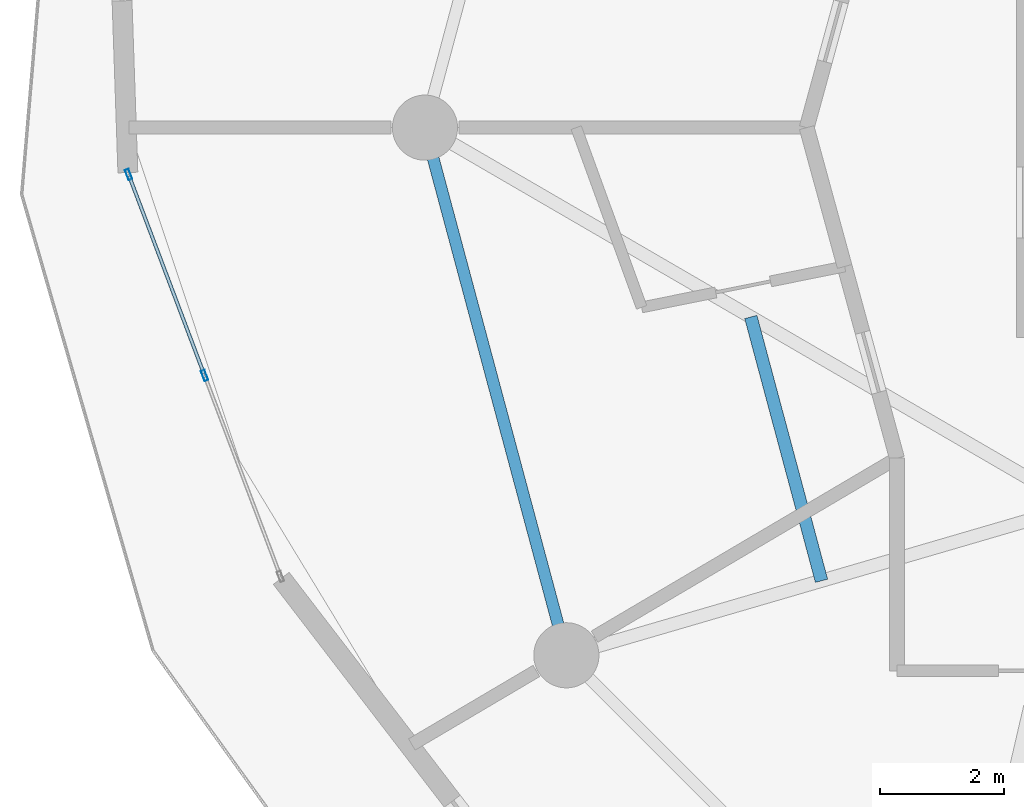
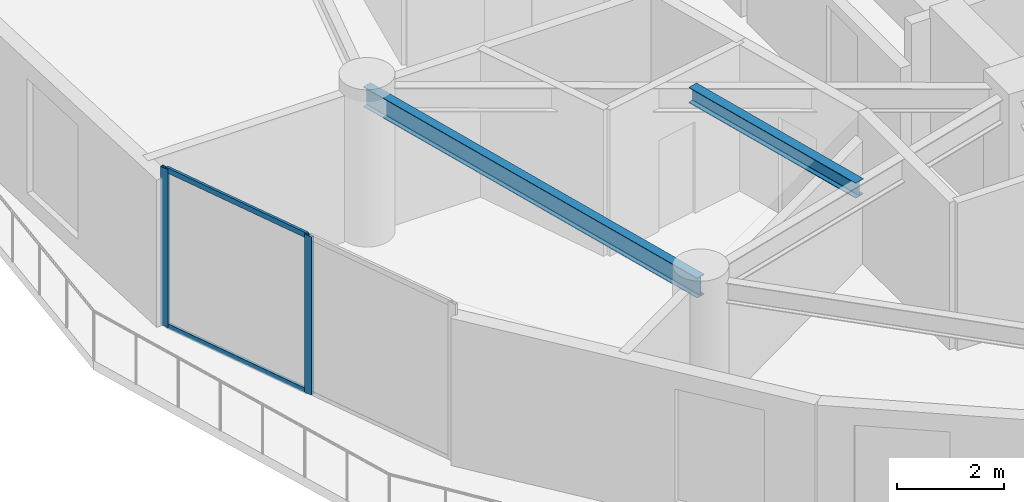
# One storey, part 6 of 25: 4 members, 2 beams, 1 element without a shape of its own.
"""IFC4 building model written with IfcOpenShell, lengths in metres."""

from ifc_helpers import new_model, si_unit, direction, frame, origin, origin_2d, place, context, subcontext, project, spatial, hollow_rectangle, i_section, extrude, source, transform, mapped, material, layer, layer_set, material_profile, profile_set, type_object, element, aggregate, save


model = new_model("IFC4")

# Units and contexts
model_context = context("Model", 3, precision=1e-05, world=origin(), true_north=direction((0.0, 1.0)))
body_context = subcontext(model_context, "Body", "Model", "MODEL_VIEW")
ifc_project = project(units=[si_unit("LENGTHUNIT", "METRE"), si_unit("AREAUNIT", "SQUARE_METRE"), si_unit("VOLUMEUNIT", "CUBIC_METRE"), si_unit("PLANEANGLEUNIT", "RADIAN"), si_unit("MASSUNIT", "GRAM", prefix="KILO")], contexts=[model_context])

# Site, building, storey
site_placement = place(None, origin())
site = spatial("IfcSite", under=ifc_project, at=site_placement, CompositionType="ELEMENT")
building_placement = place(site_placement, origin())
building = spatial("IfcBuilding", under=site, at=building_placement, Name="Solvirekh Grand Hotel", CompositionType="ELEMENT")
storey_placement = place(building_placement, frame((0.0, 0.0, 102.60009765625)))
storey = spatial("IfcBuildingStorey", under=building, at=storey_placement, Name="L25", CompositionType="ELEMENT", Elevation=102.60009765625)

# Beams
ifc_material_1 = material(Name="Steel S355", Category="steel")
ifc_material_profile_1 = material_profile(ifc_material_1, i_section(OverallWidth=0.2041015625, OverallDepth=0.35009765625, WebThickness=0.009033203125, FlangeThickness=0.014892578125, FilletRadius=0.010986328125, at=origin_2d()), Name="W360X72")
ifc_profile_set_1 = profile_set([ifc_material_profile_1], Name="Steel S355")
beam_type_1 = type_object("IfcBeamType", Name="Joist_Floor_W360", PredefinedType="JOIST", material=ifc_profile_set_1)
beam_1_placement = place(storey_placement, frame((-11.75, -3.050048828125, 3.1748046875), z_axis=(0.258847024572, -0.965918328778, 0.0), x_axis=(0.965918328778, 0.258847024572, 0.0)))
element("IfcBeam", 1, at=beam_1_placement, inside=storey, type_object=beam_type_1, Name="L25 secondary composite floor joist 7", PredefinedType="JOIST", context=body_context, shape_type="SweptSolid", body=[
    extrude(i_section(OverallWidth=0.2041015625, OverallDepth=0.35009765625, WebThickness=0.009033203125, FlangeThickness=0.014892578125, FilletRadius=0.010986328125, at=origin_2d()), origin(), (0.0, 0.0, 1.0), 4.39990234375),
])
ifc_material_profile_2 = material_profile(ifc_material_1, i_section(OverallWidth=0.18994140625, OverallDepth=0.45703125, WebThickness=0.009033203125, FlangeThickness=0.013916015625, FilletRadius=0.012939453125, at=origin_2d()), Name="W460X74")
ifc_profile_set_2 = profile_set([ifc_material_profile_2], Name="Steel S355")
beam_type_2 = type_object("IfcBeamType", Name="Spandrel_Ring_W460", PredefinedType="SPANDREL", material=ifc_profile_set_2)
beam_2_placement = place(storey_placement, frame((-17.0, 0.0, 3.121826171875), z_axis=(0.258872908946, -0.965911391906, 0.0), x_axis=(0.965911391906, 0.258872908946, 0.0)))
element("IfcBeam", 2, at=beam_2_placement, inside=storey, type_object=beam_type_2, Name="L25 perimeter spandrel beam 7", PredefinedType="SPANDREL", context=body_context, shape_type="SweptSolid", body=[
    extrude(i_section(OverallWidth=0.18994140625, OverallDepth=0.45703125, WebThickness=0.009033203125, FlangeThickness=0.013916015625, FilletRadius=0.012939453125, at=origin_2d()), origin(), (0.0, 0.0, 1.0), 8.800048828125),
])

# Curtain wall, members
ifc_material_2 = material(Name="Anodized Bronze Aluminium 6063-T6", Category="aluminium")
ifc_layer = layer(ifc_material_2, 0.175048828125)
ifc_layer_set = layer_set([ifc_layer], Name="Anodized Bronze Aluminium 6063-T6")
curtain_wall_type = type_object("IfcCurtainWallType", Name="CW_Sys3_MidZoneFlushBronzeCW", PredefinedType="NOTDEFINED", material=ifc_layer_set)
curtain_wall_placement = place(storey_placement, origin())
curtain_wall = element("IfcCurtainWall", 3, at=curtain_wall_placement, inside=storey, type_object=curtain_wall_type, Name="L25 unitised bronze-glass curtain wall CW-L25-C13", PredefinedType="NOTDEFINED")
ifc_material_profile_3 = material_profile(ifc_material_2, hollow_rectangle(XDim=0.06494140625, YDim=0.175048828125, WallThickness=0.0048828125, at=origin_2d()), Name="ALU RHS 175X65X5")
ifc_profile_set_3 = profile_set([ifc_material_profile_3], Name="Anodized Bronze Aluminium 6063-T6")
member_type_1 = type_object("IfcMemberType", Name="CWMullion_Sys3", PredefinedType="MULLION", material=ifc_profile_set_3)
shared_shape_1 = source(origin(), body_context, "Body", "SweptSolid", [
    extrude(hollow_rectangle(XDim=0.06494140625, YDim=0.175048828125, WallThickness=0.0048828125, at=origin_2d()), origin(), (0.0, 0.0, 1.0), 3.599853515625),
])
member_1_placement = place(storey_placement, frame((-21.7744140625, -0.75341796875, 0.0), z_axis=(0.0, 0.0, 1.0), x_axis=(0.935420579411, 0.353536899934, 0.0)))
member_1 = element("IfcMember", 4, at=member_1_placement, type_object=member_type_1, Name="U03 mullion 1", PredefinedType="MULLION", context=body_context, shape_type="MappedRepresentation", body=[
    mapped(shared_shape_1, transform((0.0, 0.0, 0.0), x_axis=(1.0, 0.0, 0.0), y_axis=(0.0, 1.0, 0.0), z_axis=(0.0, 0.0, 1.0), scale=1.0)),
])
member_2_placement = place(storey_placement, frame((-20.550537109375, -3.991943359375, 0.0), z_axis=(0.0, 0.0, 1.0), x_axis=(0.935420579411, 0.353536899934, 0.0)))
member_2 = element("IfcMember", 5, at=member_2_placement, type_object=member_type_1, Name="U03 mullion 2", PredefinedType="MULLION", context=body_context, shape_type="MappedRepresentation", body=[
    mapped(shared_shape_1, transform((0.0, 0.0, 0.0), x_axis=(1.0, 0.0, 0.0), y_axis=(0.0, 1.0, 0.0), z_axis=(0.0, 0.0, 1.0), scale=1.0)),
])
ifc_material_profile_4 = material_profile(ifc_material_2, hollow_rectangle(XDim=0.054931640625, YDim=0.1201171875, WallThickness=0.00390625, at=origin_2d()), Name="ALU RHS 120X55X4")
ifc_profile_set_4 = profile_set([ifc_material_profile_4], Name="Anodized Bronze Aluminium 6063-T6")
member_type_2 = type_object("IfcMemberType", Name="CWTransom_Sys3", PredefinedType="USERDEFINED", material=ifc_profile_set_4)
shared_shape_2 = source(origin(), body_context, "Body", "SweptSolid", [
    extrude(hollow_rectangle(XDim=0.054931640625, YDim=0.1201171875, WallThickness=0.00390625, at=origin_2d()), origin(), (0.0, 0.0, 1.0), 3.397216796875),
])
member_3_placement = place(storey_placement, frame((-21.762939453125, -0.78369140625, 0.02734375), z_axis=(0.353492802233, -0.935437244699, 0.0), x_axis=(0.935437244699, 0.353492802233, 0.0)))
member_3 = element("IfcMember", 6, at=member_3_placement, type_object=member_type_2, Name="U03 transom 1.1", ObjectType="TRANSOM", PredefinedType="USERDEFINED", context=body_context, shape_type="MappedRepresentation", body=[
    mapped(shared_shape_2, transform((0.0, 0.0, 0.0), x_axis=(1.0, 0.0, 0.0), y_axis=(0.0, 1.0, 0.0), z_axis=(0.0, 0.0, 1.0), scale=1.0)),
])
member_4_placement = place(storey_placement, frame((-21.762939453125, -0.78369140625, 3.572509765625), z_axis=(0.353492802233, -0.935437244699, 0.0), x_axis=(0.935437244699, 0.353492802233, 0.0)))
member_4 = element("IfcMember", 7, at=member_4_placement, type_object=member_type_2, Name="U03 transom 1.2", ObjectType="TRANSOM", PredefinedType="USERDEFINED", context=body_context, shape_type="MappedRepresentation", body=[
    mapped(shared_shape_2, transform((0.0, 0.0, 0.0), x_axis=(1.0, 0.0, 0.0), y_axis=(0.0, 1.0, 0.0), z_axis=(0.0, 0.0, 1.0), scale=1.0)),
])
aggregate(curtain_wall, [member_1, member_2, member_3, member_4])

save(model, "model.ifc")
